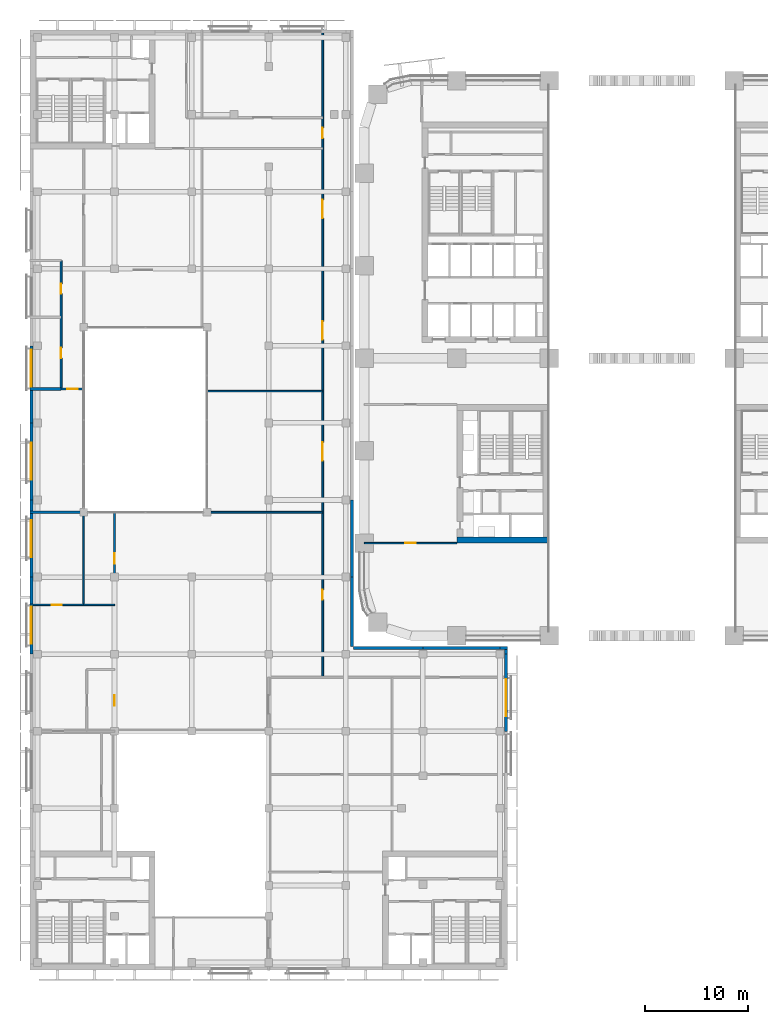
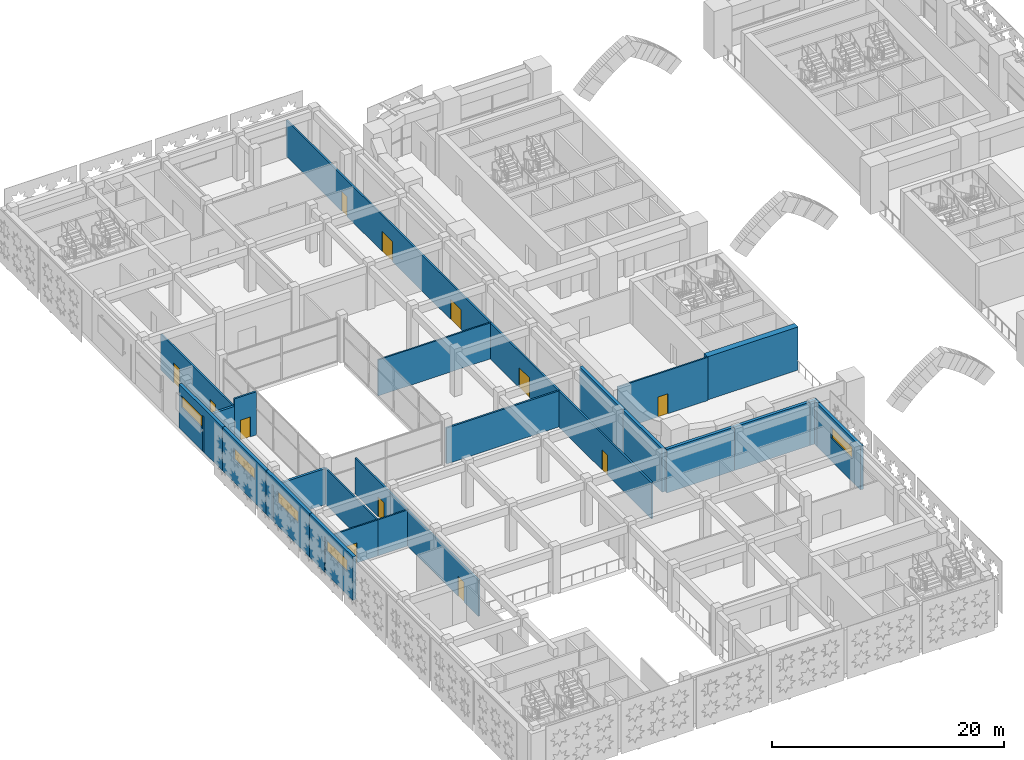
# One storey, part 16 of 40: 24 walls, 12 doors, 5 windows, 17 openings.
"""IFC4 building model written with IfcOpenShell, lengths in metres."""

from ifc_helpers import new_model, si_unit, direction, frame, frame_2d, origin, place, context, subcontext, project, spatial, rectangle, extrude, material, layer, layer_set, type_object, element, fill, save


model = new_model("IFC4")

# Units and contexts
model_context = context("Model", 3, precision=1e-05, world=origin(), true_north=direction((0.0, 1.0)))
body_context = subcontext(model_context, "Body", "Model", "MODEL_VIEW")
ifc_project = project(units=[si_unit("LENGTHUNIT", "METRE"), si_unit("AREAUNIT", "SQUARE_METRE"), si_unit("VOLUMEUNIT", "CUBIC_METRE"), si_unit("PLANEANGLEUNIT", "RADIAN"), si_unit("MASSUNIT", "GRAM", prefix="KILO")], contexts=[model_context])

# Site, building, storey
site_placement = place(None, origin())
site = spatial("IfcSite", under=ifc_project, at=site_placement, CompositionType="ELEMENT")
building_placement = place(site_placement, origin())
building = spatial("IfcBuilding", under=site, at=building_placement, Name="Tessera Arch", CompositionType="ELEMENT")
storey_placement = place(building_placement, frame((0.0, 0.0, 21.0)))
storey = spatial("IfcBuildingStorey", under=building, at=storey_placement, Name="L03", CompositionType="ELEMENT", Elevation=21.0)

# Walls
ifc_material_1 = material(Name="Concrete C70/85", Category="concrete")
ifc_layer_1 = layer(ifc_material_1, 0.60009765625)
ifc_layer_set_1 = layer_set([ifc_layer_1], Name="Core shell wall 600 C70-85")
wall_type_1 = type_object("IfcWallType", Name="Core shell wall 600 C70-85", PredefinedType="SHEAR", material=ifc_layer_set_1)
wall_1_placement = place(storey_placement, frame((9.0, 9.300048828125, 0.0), z_axis=(0.0, 0.0, 1.0), x_axis=(1.0, 0.0, 0.0)))
element("IfcWall", 1, at=wall_1_placement, inside=storey, type_object=wall_type_1, Name="L03 C4 core wall S", PredefinedType="SHEAR", context=body_context, shape_type="SweptSolid", body=[
    extrude(rectangle(XDim=9.0, YDim=0.60009765625, at=frame_2d((4.5, 0.0))), origin(), (0.0, 0.0, 1.0), 4.550048828125),
])
ifc_material_2 = material(Name="Gypsum board on deep steel stud with mineral wool", Category="steel")
ifc_layer_2 = layer(ifc_material_2, 0.175048828125)
ifc_layer_set_2 = layer_set([ifc_layer_2], Name="Corridor wall 175 EI 60")
wall_type_2 = type_object("IfcWallType", Name="Corridor wall 175 EI 60", PredefinedType="PARTITIONING", material=ifc_layer_set_2)
wall_2_placement = place(storey_placement, frame((-15.300048828125, 12.0, 0.0), z_axis=(0.0, 0.0, 1.0), x_axis=(1.0, 0.0, 0.0)))
element("IfcWall", 2, at=wall_2_placement, inside=storey, type_object=wall_type_2, Name="L03 partition 5", PredefinedType="PARTITIONING", context=body_context, shape_type="SweptSolid", body=[
    extrude(rectangle(XDim=11.25, YDim=0.175048828125, at=frame_2d((5.625, 0.0))), origin(), (0.0, 0.0, 1.0), 3.7900390625),
])

# Wall, opening, door
wall_3_placement = place(storey_placement, frame((-29.5, 24.0, 0.0), z_axis=(0.0, 0.0, 1.0), x_axis=(1.0, 0.0, 0.0)))
wall_3 = element("IfcWall", 3, at=wall_3_placement, inside=storey, type_object=wall_type_2, Name="L03 partition 7", PredefinedType="PARTITIONING", context=body_context, shape_type="SweptSolid", body=[
    extrude(rectangle(XDim=2.199951171875, YDim=0.175048828125, at=frame_2d((1.10009765625, 0.0))), origin(), (0.0, 0.0, 1.0), 4.550048828125),
])
opening_1_placement = place(wall_3_placement, frame((0.60009765625, 0.0, 0.0)))
opening_1 = element("IfcOpeningElement", 4, at=opening_1_placement, cuts=wall_3, Name="Opening L03-D028", PredefinedType="OPENING", context=body_context, shape_type="SweptSolid", body=[
    extrude(rectangle(XDim=1.0, YDim=2.10009765625, at=frame_2d((0.5, 1.050048828125))), frame((0.0, 0.097412109375, 0.0), z_axis=(0.0, -1.0, 0.0), x_axis=(1.0, 0.0, 0.0)), (0.0, 0.0, 1.0), 0.195068359375),
])
ifc_material_3 = material(Name="Fire-rated door leaf")
door_type_1 = type_object("IfcDoorType", Name="Entrance door FD30S 1000 x 2100", OperationType="SINGLE_SWING_LEFT", PredefinedType="DOOR", material=ifc_material_3)
door_1_placement = place(opening_1_placement, origin())
door_1 = element("IfcDoor", 5, at=door_1_placement, inside=storey, type_object=door_type_1, Name="L03 door D028 type D03", OperationType="SINGLE_SWING_LEFT", OverallHeight=2.10009765625, OverallWidth=1.0, PredefinedType="DOOR", context=body_context, shape_type="SweptSolid", body=[
    extrude(rectangle(XDim=1.0, YDim=2.10009765625, at=frame_2d((0.5, 1.050048828125))), frame((0.0, 0.02490234375, 0.0), z_axis=(0.0, -1.0, 0.0), x_axis=(1.0, 0.0, 0.0)), (0.0, 0.0, 1.0), 0.050048828125),
])
fill(opening_1, door_1)

# Wall, openings, doors
wall_4_placement = place(storey_placement, frame((-29.5, 24.0, 0.0), z_axis=(0.0, 0.0, 1.0), x_axis=(0.0, 1.0, 0.0)))
wall_4 = element("IfcWall", 6, at=wall_4_placement, inside=storey, type_object=wall_type_2, Name="L03 partition 13", PredefinedType="PARTITIONING", context=body_context, shape_type="SweptSolid", body=[
    extrude(rectangle(XDim=12.5, YDim=0.175048828125, at=frame_2d((6.25, 0.0))), origin(), (0.0, 0.0, 1.0), 3.7900390625),
])
opening_2_placement = place(wall_4_placement, frame((3.0, 0.0, 0.0)))
opening_2 = element("IfcOpeningElement", 7, at=opening_2_placement, cuts=wall_4, Name="Opening L03-D026", PredefinedType="OPENING", context=body_context, shape_type="SweptSolid", body=[
    extrude(rectangle(XDim=1.0, YDim=2.10009765625, at=frame_2d((0.5, 1.050048828125))), frame((0.0, 0.097412109375, 0.0), z_axis=(0.0, -1.0, 0.0), x_axis=(1.0, 0.0, 0.0)), (0.0, 0.0, 1.0), 0.195068359375),
])
opening_3_placement = place(wall_4_placement, frame((9.25, 0.0, 0.0)))
opening_3 = element("IfcOpeningElement", 8, at=opening_3_placement, cuts=wall_4, Name="Opening L03-D027", PredefinedType="OPENING", context=body_context, shape_type="SweptSolid", body=[
    extrude(rectangle(XDim=1.0, YDim=2.10009765625, at=frame_2d((0.5, 1.050048828125))), frame((0.0, 0.097412109375, 0.0), z_axis=(0.0, -1.0, 0.0), x_axis=(1.0, 0.0, 0.0)), (0.0, 0.0, 1.0), 0.195068359375),
])
door_2_placement = place(opening_2_placement, origin())
door_2 = element("IfcDoor", 9, at=door_2_placement, inside=storey, type_object=door_type_1, Name="L03 door D026 type D03", OperationType="SINGLE_SWING_RIGHT", OverallHeight=2.10009765625, OverallWidth=1.0, PredefinedType="DOOR", context=body_context, shape_type="SweptSolid", body=[
    extrude(rectangle(XDim=1.0, YDim=2.10009765625, at=frame_2d((0.5, 1.050048828125))), frame((0.0, 0.02490234375, 0.0), z_axis=(0.0, -1.0, 0.0), x_axis=(1.0, 0.0, 0.0)), (0.0, 0.0, 1.0), 0.050048828125),
])
fill(opening_2, door_2)
door_3_placement = place(opening_3_placement, origin())
door_3 = element("IfcDoor", 10, at=door_3_placement, inside=storey, type_object=door_type_1, Name="L03 door D027 type D03", OperationType="SINGLE_SWING_RIGHT", OverallHeight=2.10009765625, OverallWidth=1.0, PredefinedType="DOOR", context=body_context, shape_type="SweptSolid", body=[
    extrude(rectangle(XDim=1.0, YDim=2.10009765625, at=frame_2d((0.5, 1.050048828125))), frame((0.0, 0.02490234375, 0.0), z_axis=(0.0, -1.0, 0.0), x_axis=(1.0, 0.0, 0.0)), (0.0, 0.0, 1.0), 0.050048828125),
])
fill(opening_3, door_3)

wall_5_placement = place(storey_placement, frame((-24.300048828125, -9.300048828125, 0.0), z_axis=(0.0, 0.0, 1.0), x_axis=(0.0, 1.0, 0.0)))
wall_5 = element("IfcWall", 11, at=wall_5_placement, inside=storey, type_object=wall_type_2, Name="L03 partition 16", PredefinedType="PARTITIONING", context=body_context, shape_type="SweptSolid", body=[
    extrude(rectangle(XDim=21.300048828125, YDim=0.175048828125, at=frame_2d((10.64990234375, 0.0))), origin(), (0.0, 0.0, 1.0), 3.7900390625),
])
opening_4_placement = place(wall_5_placement, frame((2.5, 0.0, 0.0)))
opening_4 = element("IfcOpeningElement", 12, at=opening_4_placement, cuts=wall_5, Name="Opening L03-D005", PredefinedType="OPENING", context=body_context, shape_type="SweptSolid", body=[
    extrude(rectangle(XDim=1.0, YDim=2.10009765625, at=frame_2d((0.5, 1.050048828125))), frame((0.0, 0.097412109375, 0.0), z_axis=(0.0, -1.0, 0.0), x_axis=(1.0, 0.0, 0.0)), (0.0, 0.0, 1.0), 0.195068359375),
])
opening_5_placement = place(wall_5_placement, frame((16.300048828125, 0.0, 0.0)))
opening_5 = element("IfcOpeningElement", 13, at=opening_5_placement, cuts=wall_5, Name="Opening L03-D025", PredefinedType="OPENING", context=body_context, shape_type="SweptSolid", body=[
    extrude(rectangle(XDim=1.0, YDim=2.10009765625, at=frame_2d((0.5, 1.050048828125))), frame((0.0, 0.097412109375, 0.0), z_axis=(0.0, -1.0, 0.0), x_axis=(1.0, 0.0, 0.0)), (0.0, 0.0, 1.0), 0.195068359375),
])
door_4_placement = place(opening_4_placement, origin())
door_4 = element("IfcDoor", 14, at=door_4_placement, inside=storey, type_object=door_type_1, Name="L03 door D005 type D03", OperationType="SINGLE_SWING_RIGHT", OverallHeight=2.10009765625, OverallWidth=1.0, PredefinedType="DOOR", context=body_context, shape_type="SweptSolid", body=[
    extrude(rectangle(XDim=1.0, YDim=2.10009765625, at=frame_2d((0.5, 1.050048828125))), frame((0.0, 0.02490234375, 0.0), z_axis=(0.0, -1.0, 0.0), x_axis=(1.0, 0.0, 0.0)), (0.0, 0.0, 1.0), 0.050048828125),
])
fill(opening_4, door_4)
door_5_placement = place(opening_5_placement, origin())
door_5 = element("IfcDoor", 15, at=door_5_placement, inside=storey, type_object=door_type_1, Name="L03 door D025 type D03", OperationType="SINGLE_SWING_RIGHT", OverallHeight=2.10009765625, OverallWidth=1.0, PredefinedType="DOOR", context=body_context, shape_type="SweptSolid", body=[
    extrude(rectangle(XDim=1.0, YDim=2.10009765625, at=frame_2d((0.5, 1.050048828125))), frame((0.0, 0.02490234375, 0.0), z_axis=(0.0, -1.0, 0.0), x_axis=(1.0, 0.0, 0.0)), (0.0, 0.0, 1.0), 0.050048828125),
])
fill(opening_5, door_5)

wall_6_placement = place(storey_placement, frame((-4.050048828125, -4.050048828125, 0.0), z_axis=(0.0, 0.0, 1.0), x_axis=(0.0, 1.0, 0.0)))
wall_6 = element("IfcWall", 16, at=wall_6_placement, inside=storey, type_object=wall_type_2, Name="L03 partition 19", PredefinedType="PARTITIONING", context=body_context, shape_type="SweptSolid", body=[
    extrude(rectangle(XDim=63.0, YDim=0.175048828125, at=frame_2d((31.5, 0.0))), origin(), (0.0, 0.0, 1.0), 3.7900390625),
])
opening_6_placement = place(wall_6_placement, frame((52.449951171875, 0.0, 0.0)))
opening_6 = element("IfcOpeningElement", 17, at=opening_6_placement, cuts=wall_6, Name="Opening L03-D002", PredefinedType="OPENING", context=body_context, shape_type="SweptSolid", body=[
    extrude(rectangle(XDim=1.0, YDim=2.10009765625, at=frame_2d((0.5, 1.050048828125))), frame((0.0, 0.097412109375, 0.0), z_axis=(0.0, -1.0, 0.0), x_axis=(1.0, 0.0, 0.0)), (0.0, 0.0, 1.0), 0.195068359375),
])
opening_7_placement = place(wall_6_placement, frame((7.52490234375, 0.0, 0.0)))
opening_7 = element("IfcOpeningElement", 18, at=opening_7_placement, cuts=wall_6, Name="Opening L03-D004", PredefinedType="OPENING", context=body_context, shape_type="SweptSolid", body=[
    extrude(rectangle(XDim=1.0, YDim=2.10009765625, at=frame_2d((0.5, 1.050048828125))), frame((0.0, 0.097412109375, 0.0), z_axis=(0.0, -1.0, 0.0), x_axis=(1.0, 0.0, 0.0)), (0.0, 0.0, 1.0), 0.195068359375),
])
opening_8_placement = place(wall_6_placement, frame((21.050048828125, 0.0, 0.0)))
opening_8 = element("IfcOpeningElement", 19, at=opening_8_placement, cuts=wall_6, Name="Opening L03-D007", PredefinedType="OPENING", context=body_context, shape_type="SweptSolid", body=[
    extrude(rectangle(XDim=1.800048828125, YDim=2.10009765625, at=frame_2d((0.89990234375, 1.050048828125))), frame((0.0, 0.097412109375, 0.0), z_axis=(0.0, -1.0, 0.0), x_axis=(1.0, 0.0, 0.0)), (0.0, 0.0, 1.0), 0.195068359375),
])
opening_9_placement = place(wall_6_placement, frame((32.85009765625, 0.0, 0.0)))
opening_9 = element("IfcOpeningElement", 20, at=opening_9_placement, cuts=wall_6, Name="Opening L03-D008", PredefinedType="OPENING", context=body_context, shape_type="SweptSolid", body=[
    extrude(rectangle(XDim=1.800048828125, YDim=2.10009765625, at=frame_2d((0.89990234375, 1.050048828125))), frame((0.0, 0.097412109375, 0.0), z_axis=(0.0, -1.0, 0.0), x_axis=(1.0, 0.0, 0.0)), (0.0, 0.0, 1.0), 0.195068359375),
])
opening_10_placement = place(wall_6_placement, frame((44.64990234375, 0.0, 0.0)))
opening_10 = element("IfcOpeningElement", 21, at=opening_10_placement, cuts=wall_6, Name="Opening L03-D009", PredefinedType="OPENING", context=body_context, shape_type="SweptSolid", body=[
    extrude(rectangle(XDim=1.800048828125, YDim=2.10009765625, at=frame_2d((0.89990234375, 1.050048828125))), frame((0.0, 0.097412109375, 0.0), z_axis=(0.0, -1.0, 0.0), x_axis=(1.0, 0.0, 0.0)), (0.0, 0.0, 1.0), 0.195068359375),
])
ifc_material_4 = material(Name="Timber door leaf", Category="wood")
door_type_2 = type_object("IfcDoorType", Name="Double door 1800 x 2100", OperationType="DOUBLE_DOOR_SINGLE_SWING", PredefinedType="DOOR", material=ifc_material_4)
door_6_placement = place(opening_8_placement, origin())
door_6 = element("IfcDoor", 22, at=door_6_placement, inside=storey, type_object=door_type_2, Name="L03 door D007 type D13", OperationType="DOUBLE_DOOR_SINGLE_SWING", OverallHeight=2.10009765625, OverallWidth=1.800048828125, PredefinedType="DOOR", context=body_context, shape_type="SweptSolid", body=[
    extrude(rectangle(XDim=1.800048828125, YDim=2.10009765625, at=frame_2d((0.89990234375, 1.050048828125))), frame((0.0, 0.02490234375, 0.0), z_axis=(0.0, -1.0, 0.0), x_axis=(1.0, 0.0, 0.0)), (0.0, 0.0, 1.0), 0.050048828125),
])
fill(opening_8, door_6)
door_7_placement = place(opening_9_placement, origin())
door_7 = element("IfcDoor", 23, at=door_7_placement, inside=storey, type_object=door_type_2, Name="L03 door D008 type D13", OperationType="DOUBLE_DOOR_SINGLE_SWING", OverallHeight=2.10009765625, OverallWidth=1.800048828125, PredefinedType="DOOR", context=body_context, shape_type="SweptSolid", body=[
    extrude(rectangle(XDim=1.800048828125, YDim=2.10009765625, at=frame_2d((0.89990234375, 1.050048828125))), frame((0.0, 0.02490234375, 0.0), z_axis=(0.0, -1.0, 0.0), x_axis=(1.0, 0.0, 0.0)), (0.0, 0.0, 1.0), 0.050048828125),
])
fill(opening_9, door_7)
door_8_placement = place(opening_10_placement, origin())
door_8 = element("IfcDoor", 24, at=door_8_placement, inside=storey, type_object=door_type_2, Name="L03 door D009 type D13", OperationType="DOUBLE_DOOR_SINGLE_SWING", OverallHeight=2.10009765625, OverallWidth=1.800048828125, PredefinedType="DOOR", context=body_context, shape_type="SweptSolid", body=[
    extrude(rectangle(XDim=1.800048828125, YDim=2.10009765625, at=frame_2d((0.89990234375, 1.050048828125))), frame((0.0, 0.02490234375, 0.0), z_axis=(0.0, -1.0, 0.0), x_axis=(1.0, 0.0, 0.0)), (0.0, 0.0, 1.0), 0.050048828125),
])
fill(opening_10, door_8)
door_9_placement = place(opening_6_placement, origin())
door_9 = element("IfcDoor", 25, at=door_9_placement, inside=storey, type_object=door_type_1, Name="L03 door D002 type D03", OperationType="SINGLE_SWING_LEFT", OverallHeight=2.10009765625, OverallWidth=1.0, PredefinedType="DOOR", context=body_context, shape_type="SweptSolid", body=[
    extrude(rectangle(XDim=1.0, YDim=2.10009765625, at=frame_2d((0.5, 1.050048828125))), frame((0.0, 0.02490234375, 0.0), z_axis=(0.0, -1.0, 0.0), x_axis=(1.0, 0.0, 0.0)), (0.0, 0.0, 1.0), 0.050048828125),
])
fill(opening_6, door_9)
door_10_placement = place(opening_7_placement, origin())
door_10 = element("IfcDoor", 26, at=door_10_placement, inside=storey, type_object=door_type_1, Name="L03 door D004 type D03", OperationType="SINGLE_SWING_RIGHT", OverallHeight=2.10009765625, OverallWidth=1.0, PredefinedType="DOOR", context=body_context, shape_type="SweptSolid", body=[
    extrude(rectangle(XDim=1.0, YDim=2.10009765625, at=frame_2d((0.5, 1.050048828125))), frame((0.0, 0.02490234375, 0.0), z_axis=(0.0, -1.0, 0.0), x_axis=(1.0, 0.0, 0.0)), (0.0, 0.0, 1.0), 0.050048828125),
])
fill(opening_7, door_10)

# Wall, opening, window
ifc_material_5 = material(Name="Aluminium cladding pale metal anodised", Category="aluminium")
ifc_layer_3 = layer(ifc_material_5, 0.300048828125)
ifc_layer_set_3 = layer_set([ifc_layer_3], Name="Museum envelope wall pale metal")
wall_type_3 = type_object("IfcWallType", Name="Museum envelope wall pale metal", PredefinedType="SOLIDWALL", material=ifc_layer_set_3)
wall_7_placement = place(storey_placement, frame((13.800048828125, -9.300048828125, 0.0), z_axis=(0.0, 0.0, 1.0), x_axis=(0.0, 1.0, 0.0)))
wall_7 = element("IfcWall", 27, at=wall_7_placement, inside=storey, type_object=wall_type_3, Name="Museum external wall pale metal mashrabiya pattern", PredefinedType="SOLIDWALL", context=body_context, shape_type="SweptSolid", body=[
    extrude(rectangle(XDim=7.5, YDim=0.300048828125, at=frame_2d((3.75, 0.0))), origin(), (0.0, 0.0, 1.0), 4.590087890625),
])
opening_11_placement = place(wall_7_placement, frame((1.449951171875, 0.0, 2.39990234375)))
opening_11 = element("IfcOpeningElement", 28, at=opening_11_placement, cuts=wall_7, Name="Opening L03-MV43", PredefinedType="OPENING", context=body_context, shape_type="SweptSolid", body=[
    extrude(rectangle(XDim=3.60009765625, YDim=1.199951171875, at=frame_2d((1.800048828125, 0.60009765625))), frame((0.0, 0.159912109375, 0.0), z_axis=(0.0, -1.0, 0.0), x_axis=(1.0, 0.0, 0.0)), (0.0, 0.0, 1.0), 0.320068359375),
])
ifc_material_6 = material(Name="Clear low-e glass in aluminium frame", Category="aluminium")
window_type = type_object("IfcWindowType", Name="Museum clerestory window", PartitioningType="SINGLE_PANEL", PredefinedType="WINDOW", material=ifc_material_6)
window_1_placement = place(opening_11_placement, origin())
window_1 = element("IfcWindow", 29, at=window_1_placement, inside=storey, type_object=window_type, Name="Museum window L03 2-5", OverallHeight=1.199951171875, OverallWidth=3.60009765625, PartitioningType="SINGLE_PANEL", PredefinedType="WINDOW", context=body_context, shape_type="SweptSolid", body=[
    extrude(rectangle(XDim=3.60009765625, YDim=1.199951171875, at=frame_2d((1.800048828125, 0.60009765625))), frame((0.0, 0.030029296875, 0.0), z_axis=(0.0, -1.0, 0.0), x_axis=(1.0, 0.0, 0.0)), (0.0, 0.0, 1.0), 0.06005859375),
])
fill(opening_11, window_1)

# Wall
wall_8_placement = place(storey_placement, frame((13.800048828125, -1.800048828125, 0.0), z_axis=(0.0, 0.0, 1.0), x_axis=(0.0, 1.0, 0.0)))
element("IfcWall", 30, at=wall_8_placement, inside=storey, type_object=wall_type_3, Name="Museum external wall pale metal mashrabiya pattern", PredefinedType="SOLIDWALL", context=body_context, shape_type="SweptSolid", body=[
    extrude(rectangle(XDim=0.449951171875, YDim=0.300048828125, at=frame_2d((0.22509765625, 0.0))), origin(), (0.0, 0.0, 1.0), 4.590087890625),
])

# Wall, opening, window
wall_9_placement = place(storey_placement, frame((-32.39990234375, 28.199951171875, 0.0), z_axis=(0.0, 0.0, 1.0), x_axis=(0.0, -1.0, 0.0)))
wall_9 = element("IfcWall", 31, at=wall_9_placement, inside=storey, type_object=wall_type_3, Name="Museum external wall pale metal mashrabiya pattern", PredefinedType="SOLIDWALL", context=body_context, shape_type="SweptSolid", body=[
    extrude(rectangle(XDim=7.5, YDim=0.300048828125, at=frame_2d((3.75, 0.0))), origin(), (0.0, 0.0, 1.0), 4.590087890625),
])
opening_12_placement = place(wall_9_placement, frame((0.39990234375, 0.0, 2.39990234375)))
opening_12 = element("IfcOpeningElement", 32, at=opening_12_placement, cuts=wall_9, Name="Opening L03-MV48", PredefinedType="OPENING", context=body_context, shape_type="SweptSolid", body=[
    extrude(rectangle(XDim=3.60009765625, YDim=1.199951171875, at=frame_2d((1.800048828125, 0.60009765625))), frame((0.0, 0.159912109375, 0.0), z_axis=(0.0, -1.0, 0.0), x_axis=(1.0, 0.0, 0.0)), (0.0, 0.0, 1.0), 0.320068359375),
])
window_2_placement = place(opening_12_placement, origin())
window_2 = element("IfcWindow", 33, at=window_2_placement, inside=storey, type_object=window_type, Name="Museum window L03 6-6", OverallHeight=1.199951171875, OverallWidth=3.60009765625, PartitioningType="SINGLE_PANEL", PredefinedType="WINDOW", context=body_context, shape_type="SweptSolid", body=[
    extrude(rectangle(XDim=3.60009765625, YDim=1.199951171875, at=frame_2d((1.800048828125, 0.60009765625))), frame((0.0, 0.030029296875, 0.0), z_axis=(0.0, -1.0, 0.0), x_axis=(1.0, 0.0, 0.0)), (0.0, 0.0, 1.0), 0.06005859375),
])
fill(opening_12, window_2)

wall_10_placement = place(storey_placement, frame((-32.39990234375, 20.699951171875, 0.0), z_axis=(0.0, 0.0, 1.0), x_axis=(0.0, -1.0, 0.0)))
wall_10 = element("IfcWall", 34, at=wall_10_placement, inside=storey, type_object=wall_type_3, Name="Museum external wall pale metal mashrabiya pattern", PredefinedType="SOLIDWALL", context=body_context, shape_type="SweptSolid", body=[
    extrude(rectangle(XDim=7.5, YDim=0.300048828125, at=frame_2d((3.75, 0.0))), origin(), (0.0, 0.0, 1.0), 4.590087890625),
])
opening_13_placement = place(wall_10_placement, frame((1.949951171875, 0.0, 2.39990234375)))
opening_13 = element("IfcOpeningElement", 35, at=opening_13_placement, cuts=wall_10, Name="Opening L03-MV49", PredefinedType="OPENING", context=body_context, shape_type="SweptSolid", body=[
    extrude(rectangle(XDim=3.60009765625, YDim=1.199951171875, at=frame_2d((1.800048828125, 0.60009765625))), frame((0.0, 0.159912109375, 0.0), z_axis=(0.0, -1.0, 0.0), x_axis=(1.0, 0.0, 0.0)), (0.0, 0.0, 1.0), 0.320068359375),
])
window_3_placement = place(opening_13_placement, origin())
window_3 = element("IfcWindow", 36, at=window_3_placement, inside=storey, type_object=window_type, Name="Museum window L03 6-7", OverallHeight=1.199951171875, OverallWidth=3.60009765625, PartitioningType="SINGLE_PANEL", PredefinedType="WINDOW", context=body_context, shape_type="SweptSolid", body=[
    extrude(rectangle(XDim=3.60009765625, YDim=1.199951171875, at=frame_2d((1.800048828125, 0.60009765625))), frame((0.0, 0.030029296875, 0.0), z_axis=(0.0, -1.0, 0.0), x_axis=(1.0, 0.0, 0.0)), (0.0, 0.0, 1.0), 0.06005859375),
])
fill(opening_13, window_3)

wall_11_placement = place(storey_placement, frame((-32.39990234375, 13.199951171875, 0.0), z_axis=(0.0, 0.0, 1.0), x_axis=(0.0, -1.0, 0.0)))
wall_11 = element("IfcWall", 37, at=wall_11_placement, inside=storey, type_object=wall_type_3, Name="Museum external wall pale metal mashrabiya pattern", PredefinedType="SOLIDWALL", context=body_context, shape_type="SweptSolid", body=[
    extrude(rectangle(XDim=7.5, YDim=0.300048828125, at=frame_2d((3.75, 0.0))), origin(), (0.0, 0.0, 1.0), 4.590087890625),
])
opening_14_placement = place(wall_11_placement, frame((1.949951171875, 0.0, 2.39990234375)))
opening_14 = element("IfcOpeningElement", 38, at=opening_14_placement, cuts=wall_11, Name="Opening L03-MV50", PredefinedType="OPENING", context=body_context, shape_type="SweptSolid", body=[
    extrude(rectangle(XDim=3.60009765625, YDim=1.199951171875, at=frame_2d((1.800048828125, 0.60009765625))), frame((0.0, 0.159912109375, 0.0), z_axis=(0.0, -1.0, 0.0), x_axis=(1.0, 0.0, 0.0)), (0.0, 0.0, 1.0), 0.320068359375),
])
window_4_placement = place(opening_14_placement, origin())
window_4 = element("IfcWindow", 39, at=window_4_placement, inside=storey, type_object=window_type, Name="Museum window L03 6-8", OverallHeight=1.199951171875, OverallWidth=3.60009765625, PartitioningType="SINGLE_PANEL", PredefinedType="WINDOW", context=body_context, shape_type="SweptSolid", body=[
    extrude(rectangle(XDim=3.60009765625, YDim=1.199951171875, at=frame_2d((1.800048828125, 0.60009765625))), frame((0.0, 0.030029296875, 0.0), z_axis=(0.0, -1.0, 0.0), x_axis=(1.0, 0.0, 0.0)), (0.0, 0.0, 1.0), 0.06005859375),
])
fill(opening_14, window_4)

wall_12_placement = place(storey_placement, frame((-32.39990234375, 5.699951171875, 0.0), z_axis=(0.0, 0.0, 1.0), x_axis=(0.0, -1.0, 0.0)))
wall_12 = element("IfcWall", 40, at=wall_12_placement, inside=storey, type_object=wall_type_3, Name="Museum external wall pale metal mashrabiya pattern", PredefinedType="SOLIDWALL", context=body_context, shape_type="SweptSolid", body=[
    extrude(rectangle(XDim=7.5, YDim=0.300048828125, at=frame_2d((3.75, 0.0))), origin(), (0.0, 0.0, 1.0), 4.590087890625),
])
opening_15_placement = place(wall_12_placement, frame((2.89990234375, 0.0, 2.39990234375)))
opening_15 = element("IfcOpeningElement", 41, at=opening_15_placement, cuts=wall_12, Name="Opening L03-MV51", PredefinedType="OPENING", context=body_context, shape_type="SweptSolid", body=[
    extrude(rectangle(XDim=3.60009765625, YDim=1.199951171875, at=frame_2d((1.800048828125, 0.60009765625))), frame((0.0, 0.159912109375, 0.0), z_axis=(0.0, -1.0, 0.0), x_axis=(1.0, 0.0, 0.0)), (0.0, 0.0, 1.0), 0.320068359375),
])
window_5_placement = place(opening_15_placement, origin())
window_5 = element("IfcWindow", 42, at=window_5_placement, inside=storey, type_object=window_type, Name="Museum window L03 6-9", OverallHeight=1.199951171875, OverallWidth=3.60009765625, PartitioningType="SINGLE_PANEL", PredefinedType="WINDOW", context=body_context, shape_type="SweptSolid", body=[
    extrude(rectangle(XDim=3.60009765625, YDim=1.199951171875, at=frame_2d((1.800048828125, 0.60009765625))), frame((0.0, 0.030029296875, 0.0), z_axis=(0.0, -1.0, 0.0), x_axis=(1.0, 0.0, 0.0)), (0.0, 0.0, 1.0), 0.06005859375),
])
fill(opening_15, window_5)

# Walls
ifc_material_7 = material(Name="Concrete C40/50", Category="concrete")
ifc_layer_4 = layer(ifc_material_7, 0.300048828125)
ifc_layer_set_4 = layer_set([ifc_layer_4], Name="Museum fire wall")
wall_type_4 = type_object("IfcWallType", Name="Museum fire wall", PredefinedType="SOLIDWALL", material=ifc_layer_set_4)
wall_13_placement = place(storey_placement, frame((13.949951171875, -1.199951171875, 0.0), z_axis=(0.0, 0.0, 1.0), x_axis=(-1.0, 0.0, 0.0)))
element("IfcWall", 43, at=wall_13_placement, inside=storey, type_object=wall_type_4, Name="Museum fire wall at the movement joint", PredefinedType="SOLIDWALL", context=body_context, shape_type="SweptSolid", body=[
    extrude(rectangle(XDim=0.75, YDim=0.300048828125, at=frame_2d((0.375, 0.0))), origin(), (0.0, 0.0, 1.0), 4.590087890625),
])
wall_14_placement = place(storey_placement, frame((13.199951171875, -1.199951171875, 0.0), z_axis=(0.0, 0.0, 1.0), x_axis=(-1.0, 0.0, 0.0)))
element("IfcWall", 44, at=wall_14_placement, inside=storey, type_object=wall_type_4, Name="Museum fire wall at the movement joint", PredefinedType="SOLIDWALL", context=body_context, shape_type="SweptSolid", body=[
    extrude(rectangle(XDim=7.5, YDim=0.300048828125, at=frame_2d((3.75, 0.0))), origin(), (0.0, 0.0, 1.0), 4.590087890625),
])
for number, where, z_axis, x_axis, name in (
    (45, (5.699951171875, -1.199951171875, 0.0), (0.0, 0.0, 1.0), (-1.0, 0.0, 0.0), "Museum fire wall at the movement joint"),
    (46, (-1.199951171875, -1.050048828125, 0.0), (0.0, 0.0, 1.0), (0.0, 1.0, 0.0), "Museum fire wall at the movement joint"),
):
    element("IfcWall", number, at=place(storey_placement, frame(where, z_axis=z_axis, x_axis=x_axis)), inside=storey, type_object=wall_type_4, Name=name, PredefinedType="SOLIDWALL", context=body_context, shape_type="SweptSolid", body=[
        extrude(rectangle(XDim=6.75, YDim=0.300048828125, at=frame_2d((3.375, 0.0))), origin(), (0.0, 0.0, 1.0), 4.590087890625),
    ])
wall_15_placement = place(storey_placement, frame((-1.199951171875, 5.699951171875, 0.0), z_axis=(0.0, 0.0, 1.0), x_axis=(0.0, 1.0, 0.0)))
element("IfcWall", 47, at=wall_15_placement, inside=storey, type_object=wall_type_4, Name="Museum fire wall at the movement joint", PredefinedType="SOLIDWALL", context=body_context, shape_type="SweptSolid", body=[
    extrude(rectangle(XDim=7.5, YDim=0.300048828125, at=frame_2d((3.75, 0.0))), origin(), (0.0, 0.0, 1.0), 4.590087890625),
])
ifc_material_8 = material(Name="Gypsum board on steel stud", Category="steel")
ifc_layer_5 = layer(ifc_material_8, 0.14990234375)
ifc_layer_set_5 = layer_set([ifc_layer_5], Name="Partition 150")
wall_type_5 = type_object("IfcWallType", Name="Partition 150", PredefinedType="PARTITIONING", material=ifc_layer_set_5)
wall_16_placement = place(storey_placement, frame((-27.300048828125, 3.0, 0.0), z_axis=(0.0, 0.0, 1.0), x_axis=(1.0, 0.0, 0.0)))
element("IfcWall", 48, at=wall_16_placement, inside=storey, type_object=wall_type_5, Name="L03 partition 23", PredefinedType="PARTITIONING", context=body_context, shape_type="SweptSolid", body=[
    extrude(rectangle(XDim=3.0, YDim=0.14990234375, at=frame_2d((1.5, 0.0))), origin(), (0.0, 0.0, 1.0), 3.7900390625),
])
wall_17_placement = place(storey_placement, frame((-15.300048828125, 23.800048828125, 0.0), z_axis=(0.0, 0.0, 1.0), x_axis=(1.0, 0.0, 0.0)))
element("IfcWall", 49, at=wall_17_placement, inside=storey, type_object=wall_type_5, Name="L03 partition 24", PredefinedType="PARTITIONING", context=body_context, shape_type="SweptSolid", body=[
    extrude(rectangle(XDim=11.25, YDim=0.14990234375, at=frame_2d((5.625, 0.0))), origin(), (0.0, 0.0, 1.0), 3.7900390625),
])
wall_18_placement = place(storey_placement, frame((-27.300048828125, 3.0, 0.0), z_axis=(0.0, 0.0, 1.0), x_axis=(0.0, 1.0, 0.0)))
element("IfcWall", 50, at=wall_18_placement, inside=storey, type_object=wall_type_5, Name="L03 partition 28", PredefinedType="PARTITIONING", context=body_context, shape_type="SweptSolid", body=[
    extrude(rectangle(XDim=9.0, YDim=0.14990234375, at=frame_2d((4.5, 0.0))), origin(), (0.0, 0.0, 1.0), 3.7900390625),
])

# Wall, opening, door
ifc_material_9 = material(Name="Gypsum board on steel stud", Category="steel")
ifc_layer_6 = layer(ifc_material_9, 0.14990234375)
ifc_layer_set_6 = layer_set([ifc_layer_6], Name="Partition 150 EI 30")
wall_type_6 = type_object("IfcWallType", Name="Partition 150 EI 30", PredefinedType="PARTITIONING", material=ifc_layer_set_6)
wall_19_placement = place(storey_placement, frame((-32.550048828125, 3.0, 0.0), z_axis=(0.0, 0.0, 1.0), x_axis=(1.0, 0.0, 0.0)))
wall_19 = element("IfcWall", 51, at=wall_19_placement, inside=storey, type_object=wall_type_6, Name="L03 partition 34", PredefinedType="PARTITIONING", context=body_context, shape_type="SweptSolid", body=[
    extrude(rectangle(XDim=5.25, YDim=0.14990234375, at=frame_2d((2.625, 0.0))), origin(), (0.0, 0.0, 1.0), 3.7900390625),
])
opening_16_placement = place(wall_19_placement, frame((2.125, 0.0, 0.0)))
opening_16 = element("IfcOpeningElement", 52, at=opening_16_placement, cuts=wall_19, Name="Opening L03-D024", PredefinedType="OPENING", context=body_context, shape_type="SweptSolid", body=[
    extrude(rectangle(XDim=1.0, YDim=2.10009765625, at=frame_2d((0.5, 1.050048828125))), frame((0.0, 0.0849609375, 0.0), z_axis=(0.0, -1.0, 0.0), x_axis=(1.0, 0.0, 0.0)), (0.0, 0.0, 1.0), 0.169921875),
])
door_11_placement = place(opening_16_placement, origin())
door_11 = element("IfcDoor", 53, at=door_11_placement, inside=storey, type_object=door_type_1, Name="L03 door D024 type D03", OperationType="SINGLE_SWING_RIGHT", OverallHeight=2.10009765625, OverallWidth=1.0, PredefinedType="DOOR", context=body_context, shape_type="SweptSolid", body=[
    extrude(rectangle(XDim=1.0, YDim=2.10009765625, at=frame_2d((0.5, 1.050048828125))), frame((0.0, 0.02490234375, 0.0), z_axis=(0.0, -1.0, 0.0), x_axis=(1.0, 0.0, 0.0)), (0.0, 0.0, 1.0), 0.050048828125),
])
fill(opening_16, door_11)

wall_20_placement = place(storey_placement, frame((0.0, 9.0, 0.0), z_axis=(0.0, 0.0, 1.0), x_axis=(1.0, 0.0, 0.0)))
wall_20 = element("IfcWall", 54, at=wall_20_placement, inside=storey, type_object=wall_type_6, Name="L03 partition 35", PredefinedType="PARTITIONING", context=body_context, shape_type="SweptSolid", body=[
    extrude(rectangle(XDim=9.0, YDim=0.14990234375, at=frame_2d((4.5, 0.0))), origin(), (0.0, 0.0, 1.0), 4.550048828125),
])
opening_17_placement = place(wall_20_placement, frame((4.0, 0.0, 0.0)))
opening_17 = element("IfcOpeningElement", 55, at=opening_17_placement, cuts=wall_20, Name="Opening L03-D032", PredefinedType="OPENING", context=body_context, shape_type="SweptSolid", body=[
    extrude(rectangle(XDim=1.0, YDim=2.10009765625, at=frame_2d((0.5, 1.050048828125))), frame((0.0, 0.0849609375, 0.0), z_axis=(0.0, -1.0, 0.0), x_axis=(1.0, 0.0, 0.0)), (0.0, 0.0, 1.0), 0.169921875),
])
door_12_placement = place(opening_17_placement, origin())
door_12 = element("IfcDoor", 56, at=door_12_placement, inside=storey, type_object=door_type_1, Name="L03 door D032 type D03", OperationType="SINGLE_SWING_LEFT", OverallHeight=2.10009765625, OverallWidth=1.0, PredefinedType="DOOR", context=body_context, shape_type="SweptSolid", body=[
    extrude(rectangle(XDim=1.0, YDim=2.10009765625, at=frame_2d((0.5, 1.050048828125))), frame((0.0, 0.02490234375, 0.0), z_axis=(0.0, -1.0, 0.0), x_axis=(1.0, 0.0, 0.0)), (0.0, 0.0, 1.0), 0.050048828125),
])
fill(opening_17, door_12)

# Walls
ifc_material_10 = material(Name="Double gypsum board on twin steel stud with acoustic mineral wool", Category="steel")
ifc_layer_7 = layer(ifc_material_10, 0.25)
ifc_layer_set_7 = layer_set([ifc_layer_7], Name="Party wall 250 EI 60")
wall_type_7 = type_object("IfcWallType", Name="Party wall 250 EI 60", PredefinedType="PARTITIONING", material=ifc_layer_set_7)
wall_21_placement = place(storey_placement, frame((-32.550048828125, 12.0, 0.0), z_axis=(0.0, 0.0, 1.0), x_axis=(1.0, 0.0, 0.0)))
element("IfcWall", 57, at=wall_21_placement, inside=storey, type_object=wall_type_7, Name="L03 partition 39", PredefinedType="PARTITIONING", context=body_context, shape_type="SweptSolid", body=[
    extrude(rectangle(XDim=5.25, YDim=0.25, at=frame_2d((2.625, 0.0))), origin(), (0.0, 0.0, 1.0), 3.7900390625),
])
wall_22_placement = place(storey_placement, frame((-32.550048828125, 24.0, 0.0), z_axis=(0.0, 0.0, 1.0), x_axis=(1.0, 0.0, 0.0)))
element("IfcWall", 58, at=wall_22_placement, inside=storey, type_object=wall_type_7, Name="L03 partition 40", PredefinedType="PARTITIONING", context=body_context, shape_type="SweptSolid", body=[
    extrude(rectangle(XDim=3.050048828125, YDim=0.25, at=frame_2d((1.52490234375, 0.0))), origin(), (0.0, 0.0, 1.0), 3.7900390625),
])

save(model, "model.ifc")
